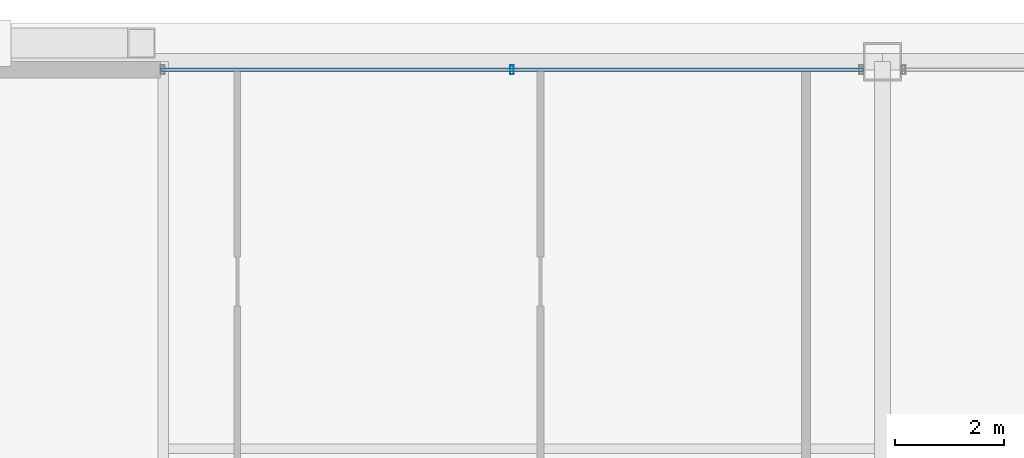
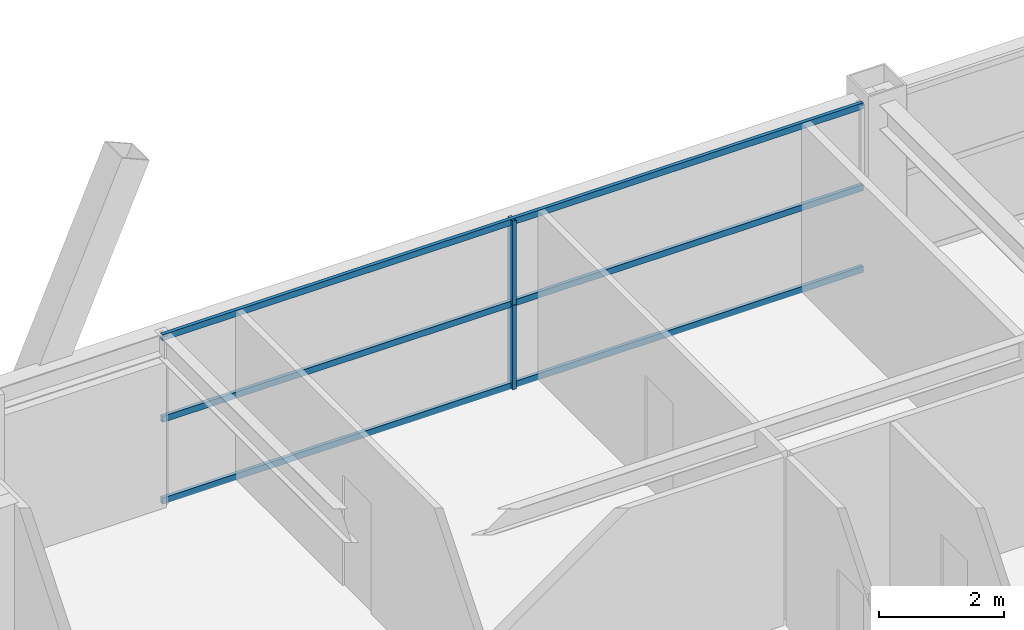
# One storey, part 26 of 37: 5 members, 1 element without a shape of its own.
"""IFC4 building model written with IfcOpenShell, lengths in metres."""

from ifc_helpers import new_model, si_unit, direction, frame, origin, origin_2d, place, context, subcontext, project, spatial, hollow_rectangle, extrude, source, transform, mapped, material, layer, layer_set, material_profile, profile_set, type_object, element, aggregate, save


model = new_model("IFC4")

# Units and contexts
model_context = context("Model", 3, precision=1e-05, world=origin(), true_north=direction((0.0, 1.0)))
body_context = subcontext(model_context, "Body", "Model", "MODEL_VIEW")
ifc_project = project(units=[si_unit("LENGTHUNIT", "METRE"), si_unit("AREAUNIT", "SQUARE_METRE"), si_unit("VOLUMEUNIT", "CUBIC_METRE"), si_unit("PLANEANGLEUNIT", "RADIAN"), si_unit("MASSUNIT", "GRAM", prefix="KILO"), si_unit("THERMODYNAMICTEMPERATUREUNIT", "KELVIN"), si_unit("POWERUNIT", "WATT")], contexts=[model_context])

# Site, building, storey
site_placement = place(None, origin())
site = spatial("IfcSite", under=ifc_project, at=site_placement, CompositionType="ELEMENT")
building_placement = place(site_placement, origin())
building = spatial("IfcBuilding", under=site, at=building_placement, Name="Yuzanri Waterfront Tower", CompositionType="ELEMENT")
storey_placement = place(building_placement, frame((0.0, 0.0, 278.60009765625)))
storey = spatial("IfcBuildingStorey", under=building, at=storey_placement, Name="L74", CompositionType="ELEMENT", Elevation=278.60009765625)

# Curtain wall, members
ifc_material_1 = material(Name="Anodized Architectural Bronze", Category="metal")
ifc_layer = layer(ifc_material_1, 0.159912109375)
ifc_layer_set = layer_set([ifc_layer], Name="Anodized Architectural Bronze")
curtain_wall_type = type_object("IfcCurtainWallType", Name="Anodized Bronze Mid-Rise Residential Acoustic Unitized Curtain Wall 7200", PredefinedType="NOTDEFINED", material=ifc_layer_set)
curtain_wall_placement = place(storey_placement, origin())
curtain_wall = element("IfcCurtainWall", 1, at=curtain_wall_placement, inside=storey, type_object=curtain_wall_type, Name="L74 Curtain Wall CW-L74-NL", PredefinedType="NOTDEFINED")
ifc_material_2 = material(Name="Anodized Architectural Bronze", Category="metal")
ifc_material_profile_1 = material_profile(ifc_material_2, hollow_rectangle(XDim=0.06494140625, YDim=0.159912109375, WallThickness=0.00341796875, at=origin_2d()), Name="CWM 65x160")
ifc_profile_set_1 = profile_set([ifc_material_profile_1], Name="Anodized Architectural Bronze")
member_type_1 = type_object("IfcMemberType", Name="Anodized Bronze Upper-Zone Curtain-Wall Mullion 65x160", PredefinedType="MULLION", material=ifc_profile_set_1)
shared_shape_1 = source(origin(), body_context, "Body", "SweptSolid", [
    extrude(hollow_rectangle(XDim=0.06494140625, YDim=0.159912109375, WallThickness=0.00341796875, at=origin_2d()), origin(), (0.0, 0.0, 1.0), 1.637939453125),
])
member_1_placement = place(storey_placement, frame((30.199951171875, 46.25, 0.0), z_axis=(0.0, 0.0, 1.0), x_axis=(1.0, 0.0, 0.0)))
member_1 = element("IfcMember", 2, at=member_1_placement, type_object=member_type_1, Name="CW-L74-NL Lower Mullion 01", PredefinedType="MULLION", context=body_context, shape_type="MappedRepresentation", body=[
    mapped(shared_shape_1, transform((0.0, 0.0, 0.0), scale=1.0)),
])
member_2_placement = place(storey_placement, frame((30.199951171875, 46.25, 1.641845703125), z_axis=(0.0, 0.0, 1.0), x_axis=(1.0, 0.0, 0.0)))
member_2 = element("IfcMember", 3, at=member_2_placement, type_object=member_type_1, Name="CW-L74-NL Upper Mullion 01", PredefinedType="MULLION", context=body_context, shape_type="MappedRepresentation", body=[
    mapped(shared_shape_1, transform((0.0, 0.0, 0.0), scale=1.0)),
])
ifc_material_3 = material(Name="Anodized Architectural Bronze", Category="metal")
ifc_material_profile_2 = material_profile(ifc_material_3, hollow_rectangle(XDim=0.06494140625, YDim=0.1201171875, WallThickness=0.00341796875, at=origin_2d()), Name="CWT 65x120")
ifc_profile_set_2 = profile_set([ifc_material_profile_2], Name="Anodized Architectural Bronze")
member_type_2 = type_object("IfcMemberType", Name="Anodized Bronze Secondary Curtain-Wall Transom 65x120", PredefinedType="USERDEFINED", material=ifc_profile_set_2)
shared_shape_2 = source(origin(), body_context, "Body", "SweptSolid", [
    extrude(hollow_rectangle(XDim=0.06494140625, YDim=0.1201171875, WallThickness=0.00341796875, at=origin_2d()), origin(), (0.0, 0.0, 1.0), 12.89990234375),
])
member_3_placement = place(storey_placement, frame((23.75, 46.25, 0.0498046875), z_axis=(1.0, 0.0, 0.0), x_axis=(0.0, 1.0, 0.0)))
member_3 = element("IfcMember", 4, at=member_3_placement, type_object=member_type_2, Name="CW-L74-NL Transom 1", ObjectType="TRANSOM", PredefinedType="USERDEFINED", context=body_context, shape_type="MappedRepresentation", body=[
    mapped(shared_shape_2, transform((0.0, 0.0, 0.0), scale=1.0)),
])
member_4_placement = place(storey_placement, frame((23.75, 46.25, 1.639892578125), z_axis=(1.0, 0.0, 0.0), x_axis=(0.0, 1.0, 0.0)))
member_4 = element("IfcMember", 5, at=member_4_placement, type_object=member_type_2, Name="CW-L74-NL Transom 2", ObjectType="TRANSOM", PredefinedType="USERDEFINED", context=body_context, shape_type="MappedRepresentation", body=[
    mapped(shared_shape_2, transform((0.0, 0.0, 0.0), scale=1.0)),
])
member_5_placement = place(storey_placement, frame((23.75, 46.25, 3.22998046875), z_axis=(1.0, 0.0, 0.0), x_axis=(0.0, 1.0, 0.0)))
member_5 = element("IfcMember", 6, at=member_5_placement, type_object=member_type_2, Name="CW-L74-NL Transom 3", ObjectType="TRANSOM", PredefinedType="USERDEFINED", context=body_context, shape_type="MappedRepresentation", body=[
    mapped(shared_shape_2, transform((0.0, 0.0, 0.0), scale=1.0)),
])
aggregate(curtain_wall, [member_1, member_2, member_3, member_4, member_5])

save(model, "model.ifc")
